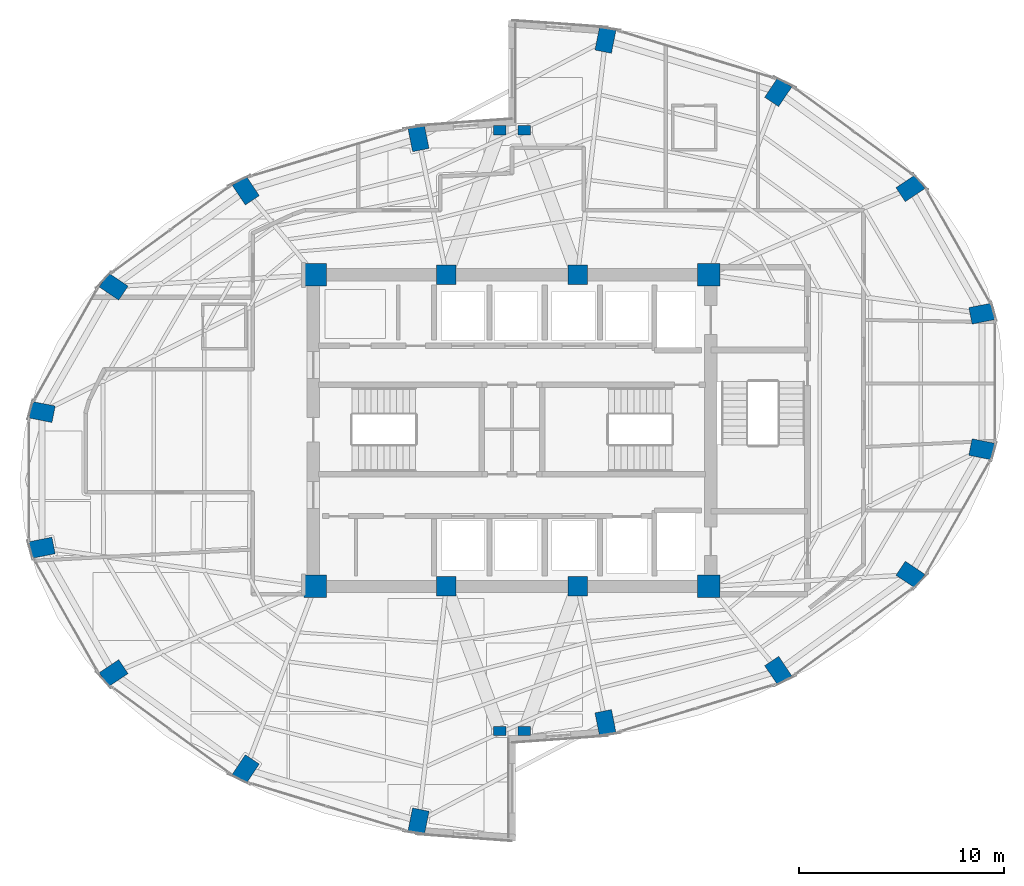
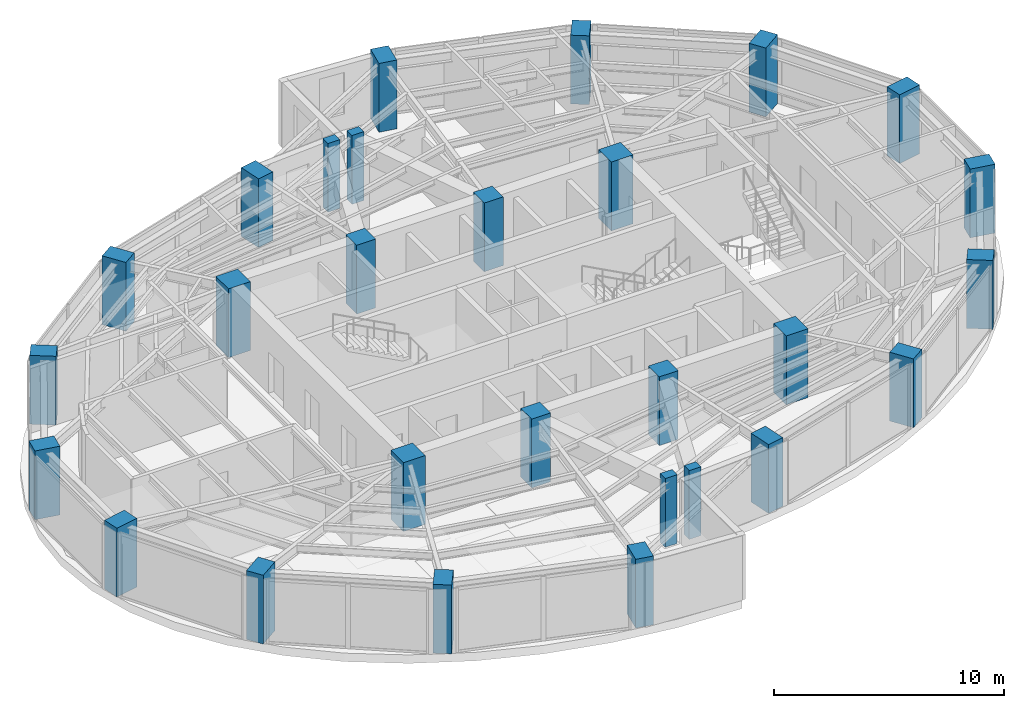
# One storey, part 1 of 20: 28 columns.
"""IFC4 building model written with IfcOpenShell, lengths in metres."""

from ifc_helpers import new_model, si_unit, direction, frame, origin, origin_2d, place, context, subcontext, project, spatial, rectangle, extrude, material, material_profile, profile_set, type_object, element, save


model = new_model("IFC4")

# Units and contexts
model_context = context("Model", 3, precision=1e-05, world=origin(), true_north=direction((0.0, 1.0)))
body_context = subcontext(model_context, "Body", "Model", "MODEL_VIEW")
ifc_project = project(units=[si_unit("LENGTHUNIT", "METRE"), si_unit("AREAUNIT", "SQUARE_METRE"), si_unit("VOLUMEUNIT", "CUBIC_METRE"), si_unit("PLANEANGLEUNIT", "RADIAN"), si_unit("MASSUNIT", "GRAM", prefix="KILO")], contexts=[model_context])

# Site, building, storey
site_placement = place(None, origin())
site = spatial("IfcSite", under=ifc_project, at=site_placement, CompositionType="ELEMENT")
building_placement = place(site_placement, origin())
building = spatial("IfcBuilding", under=site, at=building_placement, Name="Lazwardi Medical Tower", CompositionType="ELEMENT")
storey_placement = place(building_placement, frame((0.0, 0.0, 138.2880859375)))
storey = spatial("IfcBuildingStorey", under=building, at=storey_placement, Name="L35", CompositionType="ELEMENT", Elevation=138.2880859375)

# Columns
ifc_material_1 = material(Name="Concrete C80/95", Category="concrete")
ifc_material_profile_1 = material_profile(ifc_material_1, rectangle(XDim=1.10009765625, YDim=1.10009765625, at=origin_2d()), Name="RC 1100x1100")
ifc_profile_set_1 = profile_set([ifc_material_profile_1], Name="Concrete C80/95")
column_type_1 = type_object("IfcColumnType", Name="COL-CC-L", PredefinedType="COLUMN", material=ifc_profile_set_1)
for number, where, z_axis, x_axis, name in (
    (1, (26.39990234375, 20.39990234375, 0.0), (0.0, 0.0, 1.0), (1.0, 0.0, 0.0), "Core column CC-01 CC1 L35"),
    (2, (45.60009765625, 20.39990234375, 0.0), (0.0, 0.0, 1.0), (1.0, 0.0, 0.0), "Core column CC-01 CC4 L35"),
    (3, (45.60009765625, 35.60009765625, 0.0), (0.0, 0.0, 1.0), (1.0, 0.0, 0.0), "Core column CC-01 CC5 L35"),
    (4, (26.39990234375, 35.60009765625, 0.0), (0.0, 0.0, 1.0), (1.0, 0.0, 0.0), "Core column CC-01 CC8 L35"),
):
    element("IfcColumn", number, at=place(storey_placement, frame(where, z_axis=z_axis, x_axis=x_axis)), inside=storey, type_object=column_type_1, Name=name, PredefinedType="COLUMN", context=body_context, shape_type="SweptSolid", body=[
        extrude(rectangle(XDim=1.10009765625, YDim=1.10009765625, at=origin_2d()), origin(), (0.0, 0.0, 1.0), 3.64794921875),
    ])
ifc_material_2 = material(Name="Concrete C70/85", Category="concrete")
ifc_material_profile_2 = material_profile(ifc_material_2, rectangle(XDim=0.949951171875, YDim=0.949951171875, at=origin_2d()), Name="RC 950x950")
ifc_profile_set_2 = profile_set([ifc_material_profile_2], Name="Concrete C70/85")
column_type_2 = type_object("IfcColumnType", Name="COL-CC-M", PredefinedType="COLUMN", material=ifc_profile_set_2)
for number, where, z_axis, x_axis, name in (
    (5, (32.800048828125, 20.39990234375, 0.0), (0.0, 0.0, 1.0), (1.0, 0.0, 0.0), "Core column CC-02 CC2 L35"),
    (6, (39.199951171875, 20.39990234375, 0.0), (0.0, 0.0, 1.0), (1.0, 0.0, 0.0), "Core column CC-02 CC3 L35"),
    (7, (39.199951171875, 35.60009765625, 0.0), (0.0, 0.0, 1.0), (1.0, 0.0, 0.0), "Core column CC-02 CC6 L35"),
    (8, (32.800048828125, 35.60009765625, 0.0), (0.0, 0.0, 1.0), (1.0, 0.0, 0.0), "Core column CC-02 CC7 L35"),
):
    element("IfcColumn", number, at=place(storey_placement, frame(where, z_axis=z_axis, x_axis=x_axis)), inside=storey, type_object=column_type_2, Name=name, PredefinedType="COLUMN", context=body_context, shape_type="SweptSolid", body=[
        extrude(rectangle(XDim=0.949951171875, YDim=0.949951171875, at=origin_2d()), origin(), (0.0, 0.0, 1.0), 3.64794921875),
    ])
ifc_material_3 = material(Name="Concrete C60/75", Category="concrete")
ifc_material_profile_3 = material_profile(ifc_material_3, rectangle(XDim=1.14990234375, YDim=0.820068359375, at=origin_2d()), Name="CFT-RECT 1150x820")
ifc_profile_set_3 = profile_set([ifc_material_profile_3], Name="Concrete C60/75")
column_type_3 = type_object("IfcColumnType", Name="COL-MC-Z3", PredefinedType="COLUMN", material=ifc_profile_set_3)
for number, where, z_axis, x_axis, name in (
    (9, (40.560302734375, 13.751220703125, 0.0), (0.0, 0.0, 1.0), (0.195090322016, -0.980785280403, 0.0), "Mega column MC-05 M01 L35"),
    (10, (48.986572265625, 16.285888671875, 0.0), (0.0, 0.0, 1.0), (0.55557023302, -0.831469612303, 0.0), "Mega column MC-05 M02 L35"),
    (11, (55.435546875, 20.96923828125, 0.0), (0.0, 0.0, 1.0), (0.831469612303, -0.55557023302, 0.0), "Mega column MC-05 M03 L35"),
    (12, (58.92578125, 27.08837890625, 0.0), (0.0, 0.0, 1.0), (0.980785280403, -0.195090322016, 0.0), "Mega column MC-05 M04 L35"),
    (13, (58.92578125, 33.711669921875, 0.0), (0.0, 0.0, 1.0), (0.980785280403, 0.195090322016, 0.0), "Mega column MC-05 M05 L35"),
    (14, (55.435546875, 39.830810546875, 0.0), (0.0, 0.0, 1.0), (0.831469612303, 0.55557023302, 0.0), "Mega column MC-05 M06 L35"),
    (15, (48.986572265625, 44.51416015625, 0.0), (0.0, 0.0, 1.0), (0.55557023302, 0.831469612303, 0.0), "Mega column MC-05 M07 L35"),
    (16, (40.560302734375, 47.048828125, 0.0), (0.0, 0.0, 1.0), (0.195090322016, 0.980785280403, 0.0), "Mega column MC-05 M08 L35"),
    (17, (31.439697265625, 42.248779296875, 0.0), (0.0, 0.0, 1.0), (-0.195090322016, 0.980785280403, 0.0), "Mega column MC-05 M09 L35"),
    (18, (23.013427734375, 39.714111328125, 0.0), (0.0, 0.0, 1.0), (-0.55557023302, 0.831469612303, 0.0), "Mega column MC-05 M10 L35"),
    (19, (16.564453125, 35.03076171875, 0.0), (0.0, 0.0, 1.0), (-0.831469612303, 0.55557023302, 0.0), "Mega column MC-05 M11 L35"),
    (20, (13.07421875, 28.91162109375, 0.0), (0.0, 0.0, 1.0), (-0.980785280403, 0.195090322016, 0.0), "Mega column MC-05 M12 L35"),
    (21, (13.07421875, 22.288330078125, 0.0), (0.0, 0.0, 1.0), (-0.980785280403, -0.195090322016, 0.0), "Mega column MC-05 M13 L35"),
    (22, (16.564453125, 16.169189453125, 0.0), (0.0, 0.0, 1.0), (-0.831469612303, -0.55557023302, 0.0), "Mega column MC-05 M14 L35"),
    (23, (23.013427734375, 11.48583984375, 0.0), (0.0, 0.0, 1.0), (-0.55557023302, -0.831469612303, 0.0), "Mega column MC-05 M15 L35"),
    (24, (31.439697265625, 8.951171875, 0.0), (0.0, 0.0, 1.0), (-0.195090322016, -0.980785280403, 0.0), "Mega column MC-05 M16 L35"),
):
    element("IfcColumn", number, at=place(storey_placement, frame(where, z_axis=z_axis, x_axis=x_axis)), inside=storey, type_object=column_type_3, Name=name, PredefinedType="COLUMN", context=body_context, shape_type="SweptSolid", body=[
        extrude(rectangle(XDim=1.14990234375, YDim=0.820068359375, at=origin_2d()), origin(), (0.0, 0.0, 1.0), 3.64794921875),
    ])
ifc_material_profile_4 = material_profile(ifc_material_3, rectangle(XDim=0.60009765625, YDim=0.449951171875, at=origin_2d()), Name="RC 600x450")
ifc_profile_set_4 = profile_set([ifc_material_profile_4], Name="Concrete C60/75")
column_type_4 = type_object("IfcColumnType", Name="COL-PL-IW", PredefinedType="PILASTER", material=ifc_profile_set_4)
for number, where, z_axis, x_axis, name in (
    (25, (35.39990234375, 42.64990234375, 0.0), (0.0, 0.0, 1.0), (1.0, 0.0, 0.0), "Iwan pilaster column PL-C1 PL1 L35"),
    (26, (36.60009765625, 42.64990234375, 0.0), (0.0, 0.0, 1.0), (1.0, 0.0, 0.0), "Iwan pilaster column PL-C1 PL2 L35"),
    (27, (35.39990234375, 13.35009765625, 0.0), (0.0, 0.0, 1.0), (1.0, 0.0, 0.0), "Iwan pilaster column PL-C1 PL3 L35"),
    (28, (36.60009765625, 13.35009765625, 0.0), (0.0, 0.0, 1.0), (1.0, 0.0, 0.0), "Iwan pilaster column PL-C1 PL4 L35"),
):
    element("IfcColumn", number, at=place(storey_placement, frame(where, z_axis=z_axis, x_axis=x_axis)), inside=storey, type_object=column_type_4, Name=name, PredefinedType="PILASTER", context=body_context, shape_type="SweptSolid", body=[
        extrude(rectangle(XDim=0.60009765625, YDim=0.449951171875, at=origin_2d()), origin(), (0.0, 0.0, 1.0), 3.64794921875),
    ])

save(model, "model.ifc")
